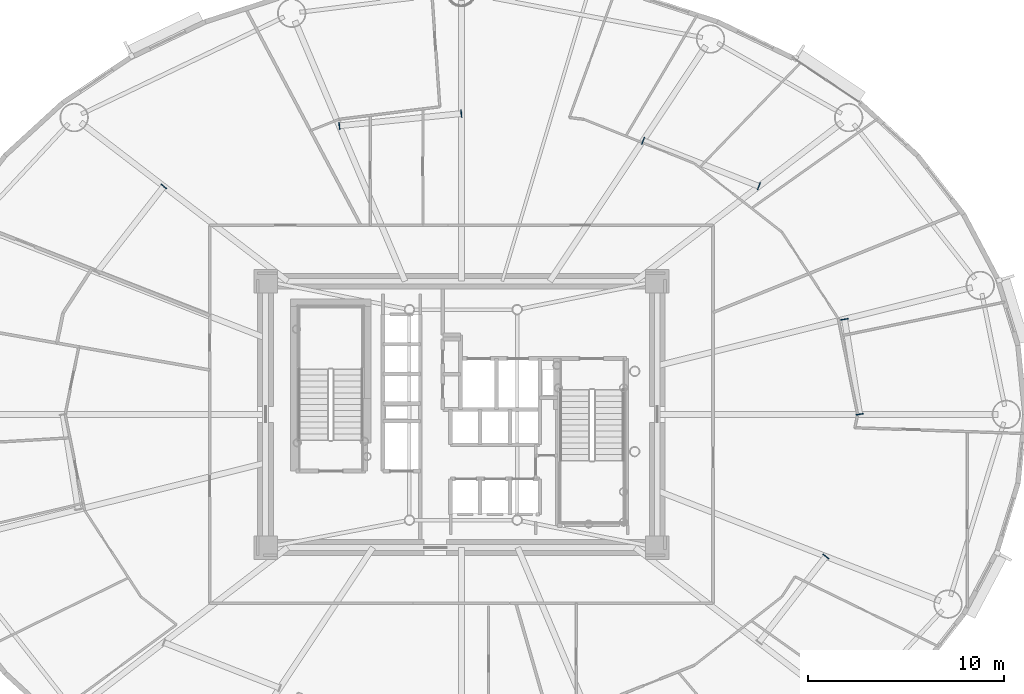
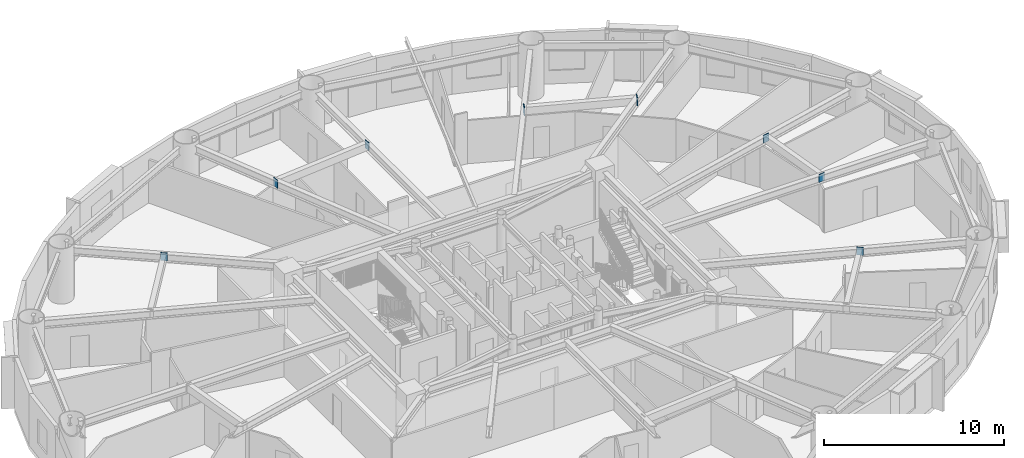
# One storey, part 10 of 22: 8 plates.
"""IFC4 building model written with IfcOpenShell, lengths in metres."""

import ifcopenshell
import ifcopenshell.guid

model = None  # the IFC model being written
_history = None  # IfcOwnerHistory: only IFC2X3 demands one
_inside = {}  # id of a spatial element -> (the spatial element, [elements in it])
_under = {}  # id of a project, library or spatial element -> (it, [spatial elements below it])
_declared = {}  # id of a project -> (the project, [libraries it declares])
_typed = {}  # id of a type object -> (the type object, [elements of that type])
_made_of = {}  # id of a material, layer set ... -> (it, [elements and type objects made of it])


def new_model(schema):
    """Start an empty IFC model of exactly this schema.

    Asked for "IFC4X3", IfcOpenShell would pick the latest addendum, in which some entities
    have other attributes; the version numbers below select the first issue.
    IFC2X3 requires an IfcOwnerHistory on every rooted entity: one is made here for all.
    """
    global model, _history
    if schema == "IFC4X3":
        model = ifcopenshell.file(schema_version=(4, 3, 0, 0))
    else:
        model = ifcopenshell.file(schema=schema)
    _inside.clear()
    _under.clear()
    _declared.clear()
    _typed.clear()
    _made_of.clear()
    _history = None
    if model.schema == "IFC2X3":
        org = make("IfcOrganization", Name="unknown")
        user = make(
            "IfcPersonAndOrganization",
            ThePerson=make("IfcPerson", FamilyName="unknown"),
            TheOrganization=org,
        )
        app = make(
            "IfcApplication",
            ApplicationDeveloper=org,
            Version="unknown",
            ApplicationFullName="unknown",
            ApplicationIdentifier="unknown",
        )
        _history = make(
            "IfcOwnerHistory",
            OwningUser=user,
            OwningApplication=app,
            ChangeAction="ADDED",
            CreationDate=0,
        )
    return model


def make(cls, **values):
    """One entity of the class cls with the attributes given. An attribute that is None is left unset."""
    return model.create_entity(
        cls, **{name: value for name, value in values.items() if value is not None}
    )


def rooted(cls, **values):
    """An entity with a GlobalId (a new one), such as an element, a storey or a relation."""
    return make(cls, GlobalId=ifcopenshell.guid.new(), OwnerHistory=_history, **values)


def si_unit(unit_type, name, prefix=None):
    """IfcSIUnit, for example si_unit("LENGTHUNIT", "METRE", prefix="MILLI")."""
    return make("IfcSIUnit", UnitType=unit_type, Prefix=prefix, Name=name)


def assignment(units):
    """IfcUnitAssignment: the units of a project."""
    return None if units is None else make("IfcUnitAssignment", Units=units)


def point(xyz):
    """IfcCartesianPoint."""
    return None if xyz is None else make("IfcCartesianPoint", Coordinates=xyz)


def direction(xyz):
    """IfcDirection."""
    return None if xyz is None else make("IfcDirection", DirectionRatios=xyz)


def frame(location, z_axis=None, x_axis=None):
    """IfcAxis2Placement3D, a coordinate frame: its origin and axes. An axis left out is left unset."""
    return make(
        "IfcAxis2Placement3D",
        Location=point(location),
        Axis=direction(z_axis),
        RefDirection=direction(x_axis),
    )


def frame_2d(location, x_axis=None):
    """IfcAxis2Placement2D, a coordinate frame in the plane: its origin and x axis."""
    return make(
        "IfcAxis2Placement2D", Location=point(location), RefDirection=direction(x_axis)
    )


def origin():
    """The frame at (0, 0, 0) with its axes left unset."""
    return frame((0.0, 0.0, 0.0))


def origin_2d():
    """The frame at (0, 0) in the plane with its x axis left unset."""
    return frame_2d((0.0, 0.0))


def place(relative_to, where):
    """IfcLocalPlacement: puts the frame where relative to a parent placement (None: the world)."""
    return make(
        "IfcLocalPlacement", PlacementRelTo=relative_to, RelativePlacement=where
    )


def context(
    kind, dimensions, precision=None, world=None, true_north=None, identifier=None
):
    """IfcGeometricRepresentationContext, for example the 3D "Model" context."""
    return make(
        "IfcGeometricRepresentationContext",
        ContextIdentifier=identifier,
        ContextType=kind,
        CoordinateSpaceDimension=dimensions,
        Precision=precision,
        WorldCoordinateSystem=world,
        TrueNorth=true_north,
    )


def subcontext(parent, identifier, kind, view, scale=None):
    """IfcGeometricRepresentationSubContext, for example "Body" below "Model"."""
    return make(
        "IfcGeometricRepresentationSubContext",
        ContextIdentifier=identifier,
        ContextType=kind,
        ParentContext=parent,
        TargetScale=scale,
        TargetView=view,
    )


def project(units=None, contexts=None):
    """IfcProject with its units and contexts."""
    return rooted(
        "IfcProject",
        Name="project",
        RepresentationContexts=contexts,
        UnitsInContext=assignment(units),
    )


def spatial(cls, under=None, at=None, **own):
    """A site, building, storey or space (cls), placed at a placement, below another one or the project."""
    s = rooted(cls, ObjectPlacement=at, **own)
    if under is not None:
        _under.setdefault(under.id(), (under, []))[1].append(s)
    return s


def profile(cls, at=None, kind="AREA", **sizes):
    """A parametric profile (cls). Its sizes go by their IFC names, for example OverallWidth=200.0."""
    return make(cls, ProfileType=kind, Position=at, **sizes)


def rectangle(**sizes):
    """IfcRectangleProfileDef."""
    return profile("IfcRectangleProfileDef", **sizes)


def extrude(swept, where, along, depth):
    """IfcExtrudedAreaSolid: the profile swept, set in the frame where, extruded along a direction by depth."""
    return make(
        "IfcExtrudedAreaSolid",
        SweptArea=swept,
        Position=where,
        ExtrudedDirection=direction(along),
        Depth=depth,
    )


def shape(context_of_items, identifier, shape_type, items):
    """IfcShapeRepresentation: the items that make up one representation, for example the "Body"."""
    return make(
        "IfcShapeRepresentation",
        ContextOfItems=context_of_items,
        RepresentationIdentifier=identifier,
        RepresentationType=shape_type,
        Items=items,
    )


def source(mapping_origin, context_of_items, identifier, shape_type, items):
    """IfcRepresentationMap: a shape defined once, which mapped items show again and again."""
    return make(
        "IfcRepresentationMap",
        MappingOrigin=mapping_origin,
        MappedRepresentation=shape(context_of_items, identifier, shape_type, items),
    )


def transform(
    local_origin,
    x_axis=None,
    y_axis=None,
    z_axis=None,
    scale=None,
    scale2=None,
    scale3=None,
    uniform=True,
):
    """IfcCartesianTransformationOperator3D, or its non-uniform kind. x_axis, y_axis, z_axis: its Axis1, 2, 3."""
    if uniform:
        return make(
            "IfcCartesianTransformationOperator3D",
            Axis1=direction(x_axis),
            Axis2=direction(y_axis),
            LocalOrigin=point(local_origin),
            Scale=scale,
            Axis3=direction(z_axis),
        )
    return make(
        "IfcCartesianTransformationOperator3DnonUniform",
        Axis1=direction(x_axis),
        Axis2=direction(y_axis),
        LocalOrigin=point(local_origin),
        Scale=scale,
        Axis3=direction(z_axis),
        Scale2=scale2,
        Scale3=scale3,
    )


def mapped(mapping_source, mapping_target):
    """IfcMappedItem: shows the shape of a source again, moved by a transform."""
    return make(
        "IfcMappedItem", MappingSource=mapping_source, MappingTarget=mapping_target
    )


def material(Name=None, Category=None):
    """IfcMaterial."""
    return make("IfcMaterial", Name=Name, Category=Category)


def layer(
    of_material, thickness, ventilated=None, Name=None, Category=None, Priority=None
):
    """IfcMaterialLayer: one layer of a wall or slab, of a material (None: an air gap)."""
    return make(
        "IfcMaterialLayer",
        Material=of_material,
        LayerThickness=thickness,
        IsVentilated=ventilated,
        Name=Name,
        Category=Category,
        Priority=Priority,
    )


def layer_set(layers, Name=None):
    """IfcMaterialLayerSet."""
    return make("IfcMaterialLayerSet", MaterialLayers=layers, LayerSetName=Name)


def made_of(thing, what):
    """Note that an element or type object is made of a material, layer set ...; save() writes the relation."""
    if what is not None:
        _made_of.setdefault(what.id(), (what, []))[1].append(thing)
    return thing


def type_object(cls, material=None, **own):
    """A type object (cls), such as IfcWallType, which elements share."""
    return made_of(rooted(cls, **own), material)


def element(
    cls,
    number,
    at=None,
    inside=None,
    cuts=None,
    type_object=None,
    material=None,
    context=None,
    identifier="Body",
    shape_type=None,
    held_by="IfcProductDefinitionShape",
    body=None,
    shapes=None,
    **own,
):
    """One element of the class cls, such as IfcWall. Its Tag is "e" and its number.

    at: its placement. inside: the storey or other place that contains it. cuts: it is an
    opening in that element (IfcRelVoidsElement). A single representation is given by context,
    identifier, shape_type and body (its items); several are given by shapes. held_by: the class
    of the entity that holds the representations. save() writes the other relations.
    """
    e = rooted(cls, Tag="e%d" % number, ObjectPlacement=at, **own)
    if body is not None:
        shapes = [shape(context, identifier, shape_type, body)]
    if shapes is not None:
        e.Representation = make(held_by, Representations=shapes)
    if inside is not None:
        _inside.setdefault(inside.id(), (inside, []))[1].append(e)
    if cuts is not None:
        rooted(
            "IfcRelVoidsElement", RelatingBuildingElement=cuts, RelatedOpeningElement=e
        )
    if type_object is not None:
        _typed.setdefault(type_object.id(), (type_object, []))[1].append(e)
    return made_of(e, material)


def aggregate(whole, parts):
    """IfcRelAggregates: a whole, such as a stair, and the parts it consists of."""
    return rooted("IfcRelAggregates", RelatingObject=whole, RelatedObjects=parts)


def save(model, path):
    """Write the relations noted so far, then the file.

    IfcRelAggregates (storeys below a building ...), IfcRelContainedInSpatialStructure (elements
    in a storey), IfcRelDefinesByType, IfcRelAssociatesMaterial and IfcRelDeclares: one each for
    every whole, place, type object, material and project.
    """
    for whole, parts in _under.values():
        aggregate(whole, parts)
    for where, things in _inside.values():
        rooted(
            "IfcRelContainedInSpatialStructure",
            RelatedElements=things,
            RelatingStructure=where,
        )
    for kind, things in _typed.values():
        rooted("IfcRelDefinesByType", RelatedObjects=things, RelatingType=kind)
    for what, things in _made_of.values():
        rooted("IfcRelAssociatesMaterial", RelatedObjects=things, RelatingMaterial=what)
    for by, libraries in _declared.values():
        rooted("IfcRelDeclares", RelatingContext=by, RelatedDefinitions=libraries)
    model.write(path)


model = new_model("IFC4")

# Units and contexts
model_context = context("Model", 3, precision=1e-05, world=origin(), true_north=direction((0.0, 1.0)))
body_context = subcontext(model_context, "Body", "Model", "MODEL_VIEW")
ifc_project = project(units=[si_unit("LENGTHUNIT", "METRE"), si_unit("AREAUNIT", "SQUARE_METRE"), si_unit("VOLUMEUNIT", "CUBIC_METRE"), si_unit("PLANEANGLEUNIT", "RADIAN"), si_unit("MASSUNIT", "GRAM", prefix="KILO")], contexts=[model_context])

# Site, building, storey
site_placement = place(None, origin())
site = spatial("IfcSite", under=ifc_project, at=site_placement, CompositionType="ELEMENT")
building_placement = place(site_placement, origin())
building = spatial("IfcBuilding", under=site, at=building_placement, Name="Linh Dai School and Residence Tower", CompositionType="ELEMENT")
storey_placement = place(building_placement, frame((0.0, 0.0, 130.949951171875)))
storey = spatial("IfcBuildingStorey", under=building, at=storey_placement, Name="L31", CompositionType="ELEMENT", Elevation=130.949951171875)

# Plates
ifc_material = material(Name="Structural Steel S355JR", Category="steel")
ifc_layer = layer(ifc_material, 0.0400390625)
ifc_layer_set = layer_set([ifc_layer], Name="Structural Steel S355JR")
plate_type = type_object("IfcPlateType", Name="PLT-GP1", PredefinedType="USERDEFINED", material=ifc_layer_set)
shared_shape = source(origin(), body_context, "Body", "SweptSolid", [
    extrude(rectangle(XDim=0.0400390625, YDim=0.3798828125, at=origin_2d()), origin(), (0.0, 0.0, 1.0), 0.5400390625),
])
for number, where, z_axis, x_axis, name in (
    (1, (56.337646484375, 27.0048828125, 2.97998046875), (0.0, 0.0, 1.0), (-0.157025103807, 0.987594611556, 0.0), "L31 Secondary Beam End Plate 01A"),
    (2, (55.56640625, 31.85546875, 2.97998046875), (0.0, 0.0, 1.0), (-0.157025103807, 0.987594611556, 0.0), "L31 Secondary Beam End Plate 01B"),
    (3, (51.189453125, 38.64794921875, 2.97998046875), (0.0, 0.0, 1.0), (-0.930752465806, 0.3656498973, 0.0), "L31 Secondary Beam End Plate 02A"),
    (4, (45.279296875, 40.969970703125, 2.97998046875), (0.0, 0.0, 1.0), (-0.930752465806, 0.3656498973, 0.0), "L31 Secondary Beam End Plate 02B"),
    (5, (35.9951171875, 42.357421875, 2.97998046875), (0.0, 0.0, 1.0), (-0.995041739642, -0.09945821419, 0.0), "L31 Secondary Beam End Plate 03A"),
    (6, (29.7705078125, 41.7353515625, 2.97998046875), (0.0, 0.0, 1.0), (-0.995041739642, -0.09945821419, 0.0), "L31 Secondary Beam End Plate 03B"),
    (7, (20.802734375, 38.64208984375, 2.97998046875), (0.0, 0.0, 1.0), (-0.614362913717, -0.789023580287, 0.0), "L31 Secondary Beam End Plate 04A"),
    (8, (54.609375, 19.739990234375, 2.97998046875), (0.0, 0.0, 1.0), (0.614362913717, 0.789023580287, 0.0), "L31 Secondary Beam End Plate 08B"),
):
    element("IfcPlate", number, at=place(storey_placement, frame(where, z_axis=z_axis, x_axis=x_axis)), inside=storey, type_object=plate_type, Name=name, ObjectType="GUSSET PLATE", PredefinedType="USERDEFINED", context=body_context, shape_type="MappedRepresentation", body=[
        mapped(shared_shape, transform((0.0, 0.0, 0.0), x_axis=(1.0, 0.0, 0.0), y_axis=(0.0, 1.0, 0.0), z_axis=(0.0, 0.0, 1.0), scale=1.0)),
    ])

save(model, "model.ifc")
